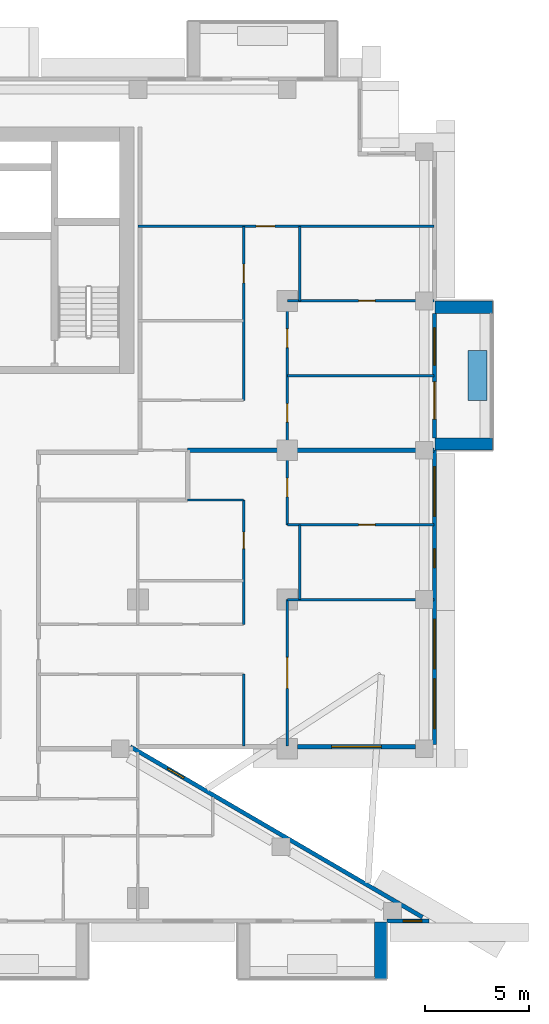
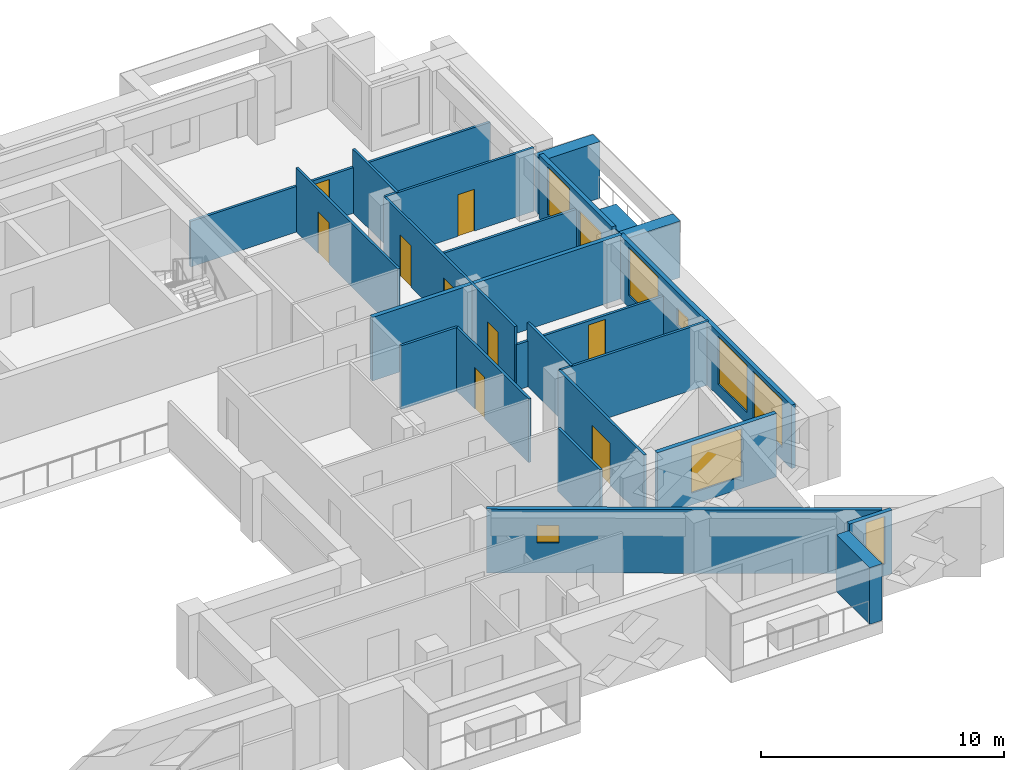
# One storey, part 12 of 20: 23 walls, 10 doors, 8 windows, 18 openings.
"""IFC4 building model written with IfcOpenShell, lengths in metres."""

from ifc_helpers import new_model, si_unit, direction, frame, frame_2d, origin, place, context, subcontext, project, spatial, rectangle, extrude, material, layer, layer_set, type_object, element, fill, save


model = new_model("IFC4")

# Units and contexts
model_context = context("Model", 3, precision=1e-05, world=origin(), true_north=direction((0.0, 1.0)))
body_context = subcontext(model_context, "Body", "Model", "MODEL_VIEW")
ifc_project = project(units=[si_unit("LENGTHUNIT", "METRE"), si_unit("AREAUNIT", "SQUARE_METRE"), si_unit("VOLUMEUNIT", "CUBIC_METRE"), si_unit("PLANEANGLEUNIT", "RADIAN"), si_unit("MASSUNIT", "GRAM", prefix="KILO")], contexts=[model_context])

# Site, building, storey
site_placement = place(None, origin())
site = spatial("IfcSite", under=ifc_project, at=site_placement, CompositionType="ELEMENT")
building_placement = place(site_placement, origin())
building = spatial("IfcBuilding", under=site, at=building_placement, Name="Saffron Iwan Residences", CompositionType="ELEMENT")
storey_placement = place(building_placement, frame((0.0, 0.0, 171.0)))
storey = spatial("IfcBuildingStorey", under=building, at=storey_placement, Name="L45", CompositionType="ELEMENT", Elevation=171.0)

# Walls
ifc_material_1 = material(Name="Concrete C50/60 white painted", Category="concrete")
ifc_layer_1 = layer(ifc_material_1, 0.60009765625)
ifc_layer_set_1 = layer_set([ifc_layer_1], Name="Concrete C50/60 white painted")
wall_type_1 = type_object("IfcWallType", Name="BALCONY FIN 600", PredefinedType="SOLIDWALL", material=ifc_layer_set_1)
for number, where, z_axis, x_axis, name in (
    (1, (86.324951171875, 62.699951171875, 0.0), (0.0, 0.0, 1.0), (1.0, 0.0, 0.0), "Balcony fin L45 F2-0a"),
    (2, (86.324951171875, 69.300048828125, 0.0), (0.0, 0.0, 1.0), (1.0, 0.0, 0.0), "Balcony fin L45 F2-0b"),
):
    element("IfcWall", number, at=place(storey_placement, frame(where, z_axis=z_axis, x_axis=x_axis)), inside=storey, type_object=wall_type_1, Name=name, PredefinedType="SOLIDWALL", context=body_context, shape_type="SweptSolid", body=[
        extrude(rectangle(XDim=2.775146484375, YDim=0.60009765625, at=frame_2d((1.3876953125, 0.0))), origin(), (0.0, 0.0, 1.0), 2.85009765625),
    ])
wall_1_placement = place(storey_placement, frame((83.699951171875, 39.649169921875, 0.0), z_axis=(0.0, 0.0, 1.0), x_axis=(0.0, -1.0, 0.0)))
element("IfcWall", 3, at=wall_1_placement, inside=storey, type_object=wall_type_1, Name="Balcony fin L45 11-3b", PredefinedType="SOLIDWALL", context=body_context, shape_type="SweptSolid", body=[
    extrude(rectangle(XDim=2.749267578125, YDim=0.60009765625, at=frame_2d((1.37451171875, 0.0))), origin(), (0.0, 0.0, 1.0), 2.85009765625),
])
ifc_material_2 = material(Name="Concrete C35/45 white painted", Category="concrete")
ifc_layer_2 = layer(ifc_material_2, 0.14990234375)
ifc_layer_set_2 = layer_set([ifc_layer_2], Name="Concrete C35/45 white painted")
wall_type_2 = type_object("IfcWallType", Name="BALCONY PLANTER", PredefinedType="SOLIDWALL", material=ifc_layer_set_2)
wall_2_placement = place(storey_placement, frame((88.375, 64.800048828125, 0.0), z_axis=(0.0, 0.0, 1.0), x_axis=(0.0, 1.0, 0.0)))
element("IfcWall", 4, at=wall_2_placement, inside=storey, type_object=wall_type_2, Name="PLANTER L45 F2-0", PredefinedType="SOLIDWALL", context=body_context, shape_type="SweptSolid", body=[
    extrude(rectangle(XDim=2.39990234375, YDim=0.89990234375, at=frame_2d((1.199951171875, 0.0))), origin(), (0.0, 0.0, 1.0), 0.89990234375),
])

# Wall, opening, window
ifc_material_3 = material(Name="Concrete C40/50", Category="concrete")
ifc_layer_3 = layer(ifc_material_3, 0.199951171875)
ifc_layer_set_3 = layer_set([ifc_layer_3], Name="Concrete C40/50")
wall_type_3 = type_object("IfcWallType", Name="EXTERNAL WALL 200", PredefinedType="SOLIDWALL", material=ifc_layer_set_3)
wall_3_placement = place(storey_placement, frame((85.71923828125, 39.88134765625, 0.0), z_axis=(0.0, 0.0, 1.0), x_axis=(-0.86377618652, 0.503875678716, 0.0)))
wall_3 = element("IfcWall", 5, at=wall_3_placement, inside=storey, type_object=wall_type_3, Name="External wall L45 F0.0", PredefinedType="SOLIDWALL", context=body_context, shape_type="SweptSolid", body=[
    extrude(rectangle(XDim=16.31103515625, YDim=0.199951171875, at=frame_2d((8.155517578125, 0.0))), origin(), (0.0, 0.0, 1.0), 3.199951171875),
])
opening_1_placement = place(wall_3_placement, frame((13.32568359375, 0.0, 1.5)))
opening_1 = element("IfcOpeningElement", 6, at=opening_1_placement, cuts=wall_3, Name="Opening W6", PredefinedType="OPENING", context=body_context, shape_type="SweptSolid", body=[
    extrude(rectangle(XDim=0.89990234375, YDim=0.89990234375, at=frame_2d((0.449951171875, 0.449951171875))), frame((0.0, 0.10986328125, 0.0), z_axis=(0.0, -1.0, 0.0), x_axis=(1.0, 0.0, 0.0)), (0.0, 0.0, 1.0), 0.219970703125),
])
ifc_material_4 = material(Name="Clear glass, laminated double glazed", Category="glass")
window_type_1 = type_object("IfcWindowType", Name="WINDOW 900 x 900 BATH", PartitioningType="SINGLE_PANEL", PredefinedType="WINDOW", material=ifc_material_4)
window_1_placement = place(opening_1_placement, origin())
window_1 = element("IfcWindow", 7, at=window_1_placement, inside=storey, type_object=window_type_1, Name="Window L45 F0.0", OverallHeight=0.89990234375, OverallWidth=0.89990234375, PartitioningType="SINGLE_PANEL", PredefinedType="WINDOW", context=body_context, shape_type="SweptSolid", body=[
    extrude(rectangle(XDim=0.89990234375, YDim=0.89990234375, at=frame_2d((0.449951171875, 0.449951171875))), frame((0.0, 0.030029296875, 0.0), z_axis=(0.0, -1.0, 0.0), x_axis=(1.0, 0.0, 0.0)), (0.0, 0.0, 1.0), 0.06005859375),
])
fill(opening_1, window_1)

wall_4_placement = place(storey_placement, frame((79.699951171875, 48.10009765625, 0.0), z_axis=(0.0, 0.0, 1.0), x_axis=(1.0, 0.0, 0.0)))
wall_4 = element("IfcWall", 8, at=wall_4_placement, inside=storey, type_object=wall_type_3, Name="External wall L45 F1.1", PredefinedType="SOLIDWALL", context=body_context, shape_type="SweptSolid", body=[
    extrude(rectangle(XDim=5.675048828125, YDim=0.199951171875, at=frame_2d((2.83740234375, 0.0))), origin(), (0.0, 0.0, 1.0), 3.199951171875),
])
opening_2_placement = place(wall_4_placement, frame((1.637451171875, 0.0, 0.60009765625)))
opening_2 = element("IfcOpeningElement", 9, at=opening_2_placement, cuts=wall_4, Name="Opening W1", PredefinedType="OPENING", context=body_context, shape_type="SweptSolid", body=[
    extrude(rectangle(XDim=2.39990234375, YDim=2.39990234375, at=frame_2d((1.199951171875, 1.199951171875))), frame((0.0, 0.10986328125, 0.0), z_axis=(0.0, -1.0, 0.0), x_axis=(1.0, 0.0, 0.0)), (0.0, 0.0, 1.0), 0.219970703125),
])
window_type_2 = type_object("IfcWindowType", Name="WINDOW 2400 x 2400", PartitioningType="DOUBLE_PANEL_VERTICAL", PredefinedType="WINDOW", material=ifc_material_4)
window_2_placement = place(opening_2_placement, origin())
window_2 = element("IfcWindow", 10, at=window_2_placement, inside=storey, type_object=window_type_2, Name="Window L45 F1.0", OverallHeight=2.39990234375, OverallWidth=2.39990234375, PartitioningType="DOUBLE_PANEL_VERTICAL", PredefinedType="WINDOW", context=body_context, shape_type="SweptSolid", body=[
    extrude(rectangle(XDim=2.39990234375, YDim=2.39990234375, at=frame_2d((1.199951171875, 1.199951171875))), frame((0.0, 0.030029296875, 0.0), z_axis=(0.0, -1.0, 0.0), x_axis=(1.0, 0.0, 0.0)), (0.0, 0.0, 1.0), 0.06005859375),
])
fill(opening_2, window_2)

# Wall, openings, windows
wall_5_placement = place(storey_placement, frame((86.300048828125, 48.199951171875, 0.0), z_axis=(0.0, 0.0, 1.0), x_axis=(0.0, 1.0, 0.0)))
wall_5 = element("IfcWall", 11, at=wall_5_placement, inside=storey, type_object=wall_type_3, Name="External wall L45 F2.0", PredefinedType="SOLIDWALL", context=body_context, shape_type="SweptSolid", body=[
    extrude(rectangle(XDim=14.199951171875, YDim=0.199951171875, at=frame_2d((7.10009765625, 0.0))), origin(), (0.0, 0.0, 1.0), 3.199951171875),
])
opening_3_placement = place(wall_5_placement, frame((0.77490234375, 0.0, 0.60009765625)))
opening_3 = element("IfcOpeningElement", 12, at=opening_3_placement, cuts=wall_5, Name="Opening W1", PredefinedType="OPENING", context=body_context, shape_type="SweptSolid", body=[
    extrude(rectangle(XDim=2.39990234375, YDim=2.39990234375, at=frame_2d((1.199951171875, 1.199951171875))), frame((0.0, 0.10986328125, 0.0), z_axis=(0.0, -1.0, 0.0), x_axis=(1.0, 0.0, 0.0)), (0.0, 0.0, 1.0), 0.219970703125),
])
opening_4_placement = place(wall_5_placement, frame((3.64990234375, 0.0, 0.60009765625)))
opening_4 = element("IfcOpeningElement", 13, at=opening_4_placement, cuts=wall_5, Name="Opening W1", PredefinedType="OPENING", context=body_context, shape_type="SweptSolid", body=[
    extrude(rectangle(XDim=2.39990234375, YDim=2.39990234375, at=frame_2d((1.199951171875, 1.199951171875))), frame((0.0, 0.10986328125, 0.0), z_axis=(0.0, -1.0, 0.0), x_axis=(1.0, 0.0, 0.0)), (0.0, 0.0, 1.0), 0.219970703125),
])
opening_5_placement = place(wall_5_placement, frame((11.012451171875, 0.0, 0.60009765625)))
opening_5 = element("IfcOpeningElement", 14, at=opening_5_placement, cuts=wall_5, Name="Opening W1", PredefinedType="OPENING", context=body_context, shape_type="SweptSolid", body=[
    extrude(rectangle(XDim=2.39990234375, YDim=2.39990234375, at=frame_2d((1.199951171875, 1.199951171875))), frame((0.0, 0.10986328125, 0.0), z_axis=(0.0, -1.0, 0.0), x_axis=(1.0, 0.0, 0.0)), (0.0, 0.0, 1.0), 0.219970703125),
])
opening_6_placement = place(wall_5_placement, frame((8.53759765625, 0.0, 1.5)))
opening_6 = element("IfcOpeningElement", 15, at=opening_6_placement, cuts=wall_5, Name="Opening W6", PredefinedType="OPENING", context=body_context, shape_type="SweptSolid", body=[
    extrude(rectangle(XDim=0.89990234375, YDim=0.89990234375, at=frame_2d((0.449951171875, 0.449951171875))), frame((0.0, 0.10986328125, 0.0), z_axis=(0.0, -1.0, 0.0), x_axis=(1.0, 0.0, 0.0)), (0.0, 0.0, 1.0), 0.219970703125),
])
window_3_placement = place(opening_3_placement, origin())
window_3 = element("IfcWindow", 16, at=window_3_placement, inside=storey, type_object=window_type_2, Name="Window L45 F2.0", OverallHeight=2.39990234375, OverallWidth=2.39990234375, PartitioningType="DOUBLE_PANEL_VERTICAL", PredefinedType="WINDOW", context=body_context, shape_type="SweptSolid", body=[
    extrude(rectangle(XDim=2.39990234375, YDim=2.39990234375, at=frame_2d((1.199951171875, 1.199951171875))), frame((0.0, 0.030029296875, 0.0), z_axis=(0.0, -1.0, 0.0), x_axis=(1.0, 0.0, 0.0)), (0.0, 0.0, 1.0), 0.06005859375),
])
fill(opening_3, window_3)
window_4_placement = place(opening_4_placement, origin())
window_4 = element("IfcWindow", 17, at=window_4_placement, inside=storey, type_object=window_type_2, Name="Window L45 F2.1", OverallHeight=2.39990234375, OverallWidth=2.39990234375, PartitioningType="DOUBLE_PANEL_VERTICAL", PredefinedType="WINDOW", context=body_context, shape_type="SweptSolid", body=[
    extrude(rectangle(XDim=2.39990234375, YDim=2.39990234375, at=frame_2d((1.199951171875, 1.199951171875))), frame((0.0, 0.030029296875, 0.0), z_axis=(0.0, -1.0, 0.0), x_axis=(1.0, 0.0, 0.0)), (0.0, 0.0, 1.0), 0.06005859375),
])
fill(opening_4, window_4)
window_5_placement = place(opening_5_placement, origin())
window_5 = element("IfcWindow", 18, at=window_5_placement, inside=storey, type_object=window_type_2, Name="Window L45 F2.2", OverallHeight=2.39990234375, OverallWidth=2.39990234375, PartitioningType="DOUBLE_PANEL_VERTICAL", PredefinedType="WINDOW", context=body_context, shape_type="SweptSolid", body=[
    extrude(rectangle(XDim=2.39990234375, YDim=2.39990234375, at=frame_2d((1.199951171875, 1.199951171875))), frame((0.0, 0.030029296875, 0.0), z_axis=(0.0, -1.0, 0.0), x_axis=(1.0, 0.0, 0.0)), (0.0, 0.0, 1.0), 0.06005859375),
])
fill(opening_5, window_5)
window_6_placement = place(opening_6_placement, origin())
window_6 = element("IfcWindow", 19, at=window_6_placement, inside=storey, type_object=window_type_1, Name="Window L45 F2.3", OverallHeight=0.89990234375, OverallWidth=0.89990234375, PartitioningType="SINGLE_PANEL", PredefinedType="WINDOW", context=body_context, shape_type="SweptSolid", body=[
    extrude(rectangle(XDim=0.89990234375, YDim=0.89990234375, at=frame_2d((0.449951171875, 0.449951171875))), frame((0.0, 0.030029296875, 0.0), z_axis=(0.0, -1.0, 0.0), x_axis=(1.0, 0.0, 0.0)), (0.0, 0.0, 1.0), 0.06005859375),
])
fill(opening_6, window_6)

# Wall, openings, door, window
wall_6_placement = place(storey_placement, frame((86.300048828125, 63.0, 0.0), z_axis=(0.0, 0.0, 1.0), x_axis=(0.0, 1.0, 0.0)))
wall_6 = element("IfcWall", 20, at=wall_6_placement, inside=storey, type_object=wall_type_3, Name="External wall L45 F2.1", PredefinedType="SOLIDWALL", context=body_context, shape_type="SweptSolid", body=[
    extrude(rectangle(XDim=6.0, YDim=0.199951171875, at=frame_2d((3.0, 0.0))), origin(), (0.0, 0.0, 1.0), 3.199951171875),
])
opening_7_placement = place(wall_6_placement, frame((0.89990234375, 0.0, 0.0)))
opening_7 = element("IfcOpeningElement", 21, at=opening_7_placement, cuts=wall_6, Name="Opening BD1", PredefinedType="OPENING", context=body_context, shape_type="SweptSolid", body=[
    extrude(rectangle(XDim=1.800048828125, YDim=2.39990234375, at=frame_2d((0.89990234375, 1.199951171875))), frame((0.0, 0.10986328125, 0.0), z_axis=(0.0, -1.0, 0.0), x_axis=(1.0, 0.0, 0.0)), (0.0, 0.0, 1.0), 0.219970703125),
])
opening_8_placement = place(wall_6_placement, frame((3.5, 0.0, 0.60009765625)))
opening_8 = element("IfcOpeningElement", 22, at=opening_8_placement, cuts=wall_6, Name="Opening W8", PredefinedType="OPENING", context=body_context, shape_type="SweptSolid", body=[
    extrude(rectangle(XDim=1.800048828125, YDim=2.39990234375, at=frame_2d((0.89990234375, 1.199951171875))), frame((0.0, 0.10986328125, 0.0), z_axis=(0.0, -1.0, 0.0), x_axis=(1.0, 0.0, 0.0)), (0.0, 0.0, 1.0), 0.219970703125),
])
door_type_1 = type_object("IfcDoorType", Name="BALCONY DOOR 1800 x 2400", OperationType="DOUBLE_DOOR_SLIDING", PredefinedType="DOOR", material=ifc_material_4)
door_1_placement = place(opening_7_placement, origin())
door_1 = element("IfcDoor", 23, at=door_1_placement, inside=storey, type_object=door_type_1, Name="Balcony door L45 F2.0", OperationType="DOUBLE_DOOR_SLIDING", OverallHeight=2.39990234375, OverallWidth=1.800048828125, PredefinedType="DOOR", context=body_context, shape_type="SweptSolid", body=[
    extrude(rectangle(XDim=1.800048828125, YDim=2.39990234375, at=frame_2d((0.89990234375, 1.199951171875))), frame((0.0, 0.02490234375, 0.0), z_axis=(0.0, -1.0, 0.0), x_axis=(1.0, 0.0, 0.0)), (0.0, 0.0, 1.0), 0.050048828125),
])
fill(opening_7, door_1)
window_type_3 = type_object("IfcWindowType", Name="WINDOW 1800 x 2400", PartitioningType="DOUBLE_PANEL_VERTICAL", PredefinedType="WINDOW", material=ifc_material_4)
window_7_placement = place(opening_8_placement, origin())
window_7 = element("IfcWindow", 24, at=window_7_placement, inside=storey, type_object=window_type_3, Name="Window L45 F2.1", OverallHeight=2.39990234375, OverallWidth=1.800048828125, PartitioningType="DOUBLE_PANEL_VERTICAL", PredefinedType="WINDOW", context=body_context, shape_type="SweptSolid", body=[
    extrude(rectangle(XDim=1.800048828125, YDim=2.39990234375, at=frame_2d((0.89990234375, 1.199951171875))), frame((0.0, 0.030029296875, 0.0), z_axis=(0.0, -1.0, 0.0), x_axis=(1.0, 0.0, 0.0)), (0.0, 0.0, 1.0), 0.06005859375),
])
fill(opening_8, window_7)

# Wall, opening, window
wall_7_placement = place(storey_placement, frame((84.0, 39.699951171875, 0.0), z_axis=(0.0, 0.0, 1.0), x_axis=(1.0, 0.0, 0.0)))
wall_7 = element("IfcWall", 25, at=wall_7_placement, inside=storey, type_object=wall_type_3, Name="External wall L45 F11.2", PredefinedType="SOLIDWALL", context=body_context, shape_type="SweptSolid", body=[
    extrude(rectangle(XDim=2.030029296875, YDim=0.199951171875, at=frame_2d((1.01513671875, 0.0))), origin(), (0.0, 0.0, 1.0), 3.199951171875),
])
opening_9_placement = place(wall_7_placement, frame((0.79052734375, 0.0, 0.60009765625)))
opening_9 = element("IfcOpeningElement", 26, at=opening_9_placement, cuts=wall_7, Name="Opening W10", PredefinedType="OPENING", context=body_context, shape_type="SweptSolid", body=[
    extrude(rectangle(XDim=0.89990234375, YDim=2.39990234375, at=frame_2d((0.449951171875, 1.199951171875))), frame((0.0, 0.10986328125, 0.0), z_axis=(0.0, -1.0, 0.0), x_axis=(1.0, 0.0, 0.0)), (0.0, 0.0, 1.0), 0.219970703125),
])
window_type_4 = type_object("IfcWindowType", Name="WINDOW 900 x 2400", PartitioningType="SINGLE_PANEL", PredefinedType="WINDOW", material=ifc_material_4)
window_8_placement = place(opening_9_placement, origin())
window_8 = element("IfcWindow", 27, at=window_8_placement, inside=storey, type_object=window_type_4, Name="Window L45 F11.0", OverallHeight=2.39990234375, OverallWidth=0.89990234375, PartitioningType="SINGLE_PANEL", PredefinedType="WINDOW", context=body_context, shape_type="SweptSolid", body=[
    extrude(rectangle(XDim=0.89990234375, YDim=2.39990234375, at=frame_2d((0.449951171875, 1.199951171875))), frame((0.0, 0.030029296875, 0.0), z_axis=(0.0, -1.0, 0.0), x_axis=(1.0, 0.0, 0.0)), (0.0, 0.0, 1.0), 0.06005859375),
])
fill(opening_9, window_8)

# Walls
ifc_material_5 = material(Name="Fire-rated gypsum board wall")
ifc_layer_4 = layer(ifc_material_5, 0.199951171875)
ifc_layer_set_4 = layer_set([ifc_layer_4], Name="Fire-rated gypsum board wall")
wall_type_4 = type_object("IfcWallType", Name="Flat demising wall 200", PredefinedType="SOLIDWALL", material=ifc_layer_set_4)
wall_8_placement = place(storey_placement, frame((74.39990234375, 62.39990234375, 0.0), z_axis=(0.0, 0.0, 1.0), x_axis=(1.0, 0.0, 0.0)))
element("IfcWall", 28, at=wall_8_placement, inside=storey, type_object=wall_type_4, Name="W-L45-DEMISE-h62.4-74.4", PredefinedType="SOLIDWALL", context=body_context, shape_type="SweptSolid", body=[
    extrude(rectangle(XDim=11.875, YDim=0.199951171875, at=frame_2d((5.9375, 0.0))), origin(), (0.0, 0.0, 1.0), 3.199951171875),
])
ifc_material_6 = material(Name="Gypsum board partition")
ifc_layer_5 = layer(ifc_material_6, 0.1201171875)
ifc_layer_set_5 = layer_set([ifc_layer_5], Name="Gypsum board partition")
wall_type_5 = type_object("IfcWallType", Name="Flat partition 120", PredefinedType="PARTITIONING", material=ifc_layer_set_5)
wall_9_placement = place(storey_placement, frame((79.199951171875, 55.199951171875, 0.0), z_axis=(0.0, 0.0, 1.0), x_axis=(1.0, 0.0, 0.0)))
element("IfcWall", 29, at=wall_9_placement, inside=storey, type_object=wall_type_5, Name="W-L45-PART-h55.2-79.2", PredefinedType="PARTITIONING", context=body_context, shape_type="SweptSolid", body=[
    extrude(rectangle(XDim=7.074951171875, YDim=0.1201171875, at=frame_2d((3.53759765625, 0.0))), origin(), (0.0, 0.0, 1.0), 3.199951171875),
])

# Wall, opening, door
wall_10_placement = place(storey_placement, frame((79.199951171875, 58.800048828125, 0.0), z_axis=(0.0, 0.0, 1.0), x_axis=(1.0, 0.0, 0.0)))
wall_10 = element("IfcWall", 30, at=wall_10_placement, inside=storey, type_object=wall_type_5, Name="W-L45-PART-h58.8-79.2", PredefinedType="PARTITIONING", context=body_context, shape_type="SweptSolid", body=[
    extrude(rectangle(XDim=7.074951171875, YDim=0.1201171875, at=frame_2d((3.53759765625, 0.0))), origin(), (0.0, 0.0, 1.0), 2.300048828125),
])
opening_10_placement = place(wall_10_placement, frame((3.4375, 0.0, 0.0)))
opening_10 = element("IfcOpeningElement", 31, at=opening_10_placement, cuts=wall_10, Name="Opening FD3", PredefinedType="OPENING", context=body_context, shape_type="SweptSolid", body=[
    extrude(rectangle(XDim=0.800048828125, YDim=2.10009765625, at=frame_2d((0.39990234375, 1.050048828125))), frame((0.0, 0.070068359375, 0.0), z_axis=(0.0, -1.0, 0.0), x_axis=(1.0, 0.0, 0.0)), (0.0, 0.0, 1.0), 0.14013671875),
])
ifc_material_7 = material(Name="Timber door", Category="wood")
door_type_2 = type_object("IfcDoorType", Name="Bathroom door 800", OperationType="NOTDEFINED", PredefinedType="DOOR", material=ifc_material_7)
door_2_placement = place(opening_10_placement, origin())
door_2 = element("IfcDoor", 32, at=door_2_placement, inside=storey, type_object=door_type_2, Name="Door L45-019", OperationType="SINGLE_SWING_RIGHT", OverallHeight=2.10009765625, OverallWidth=0.800048828125, PredefinedType="DOOR", context=body_context, shape_type="SweptSolid", body=[
    extrude(rectangle(XDim=0.800048828125, YDim=2.10009765625, at=frame_2d((0.39990234375, 1.050048828125))), frame((0.0, 0.02490234375, 0.0), z_axis=(0.0, -1.0, 0.0), x_axis=(1.0, 0.0, 0.0)), (0.0, 0.0, 1.0), 0.050048828125),
])
fill(opening_10, door_2)

# Walls
wall_11_placement = place(storey_placement, frame((74.39990234375, 60.0, 0.0), z_axis=(0.0, 0.0, 1.0), x_axis=(1.0, 0.0, 0.0)))
element("IfcWall", 33, at=wall_11_placement, inside=storey, type_object=wall_type_5, Name="W-L45-PART-h60-74.4", PredefinedType="PARTITIONING", context=body_context, shape_type="SweptSolid", body=[
    extrude(rectangle(XDim=2.7001953125, YDim=0.1201171875, at=frame_2d((1.35009765625, 0.0))), origin(), (0.0, 0.0, 1.0), 3.199951171875),
])
wall_12_placement = place(storey_placement, frame((79.199951171875, 66.0, 0.0), z_axis=(0.0, 0.0, 1.0), x_axis=(1.0, 0.0, 0.0)))
element("IfcWall", 34, at=wall_12_placement, inside=storey, type_object=wall_type_5, Name="W-L45-PART-h66-79.2", PredefinedType="PARTITIONING", context=body_context, shape_type="SweptSolid", body=[
    extrude(rectangle(XDim=7.074951171875, YDim=0.1201171875, at=frame_2d((3.53759765625, 0.0))), origin(), (0.0, 0.0, 1.0), 2.300048828125),
])

# Wall, opening, door
wall_13_placement = place(storey_placement, frame((79.199951171875, 69.60009765625, 0.0), z_axis=(0.0, 0.0, 1.0), x_axis=(1.0, 0.0, 0.0)))
wall_13 = element("IfcWall", 35, at=wall_13_placement, inside=storey, type_object=wall_type_5, Name="W-L45-PART-h69.6-79.2", PredefinedType="PARTITIONING", context=body_context, shape_type="SweptSolid", body=[
    extrude(rectangle(XDim=7.074951171875, YDim=0.1201171875, at=frame_2d((3.53759765625, 0.0))), origin(), (0.0, 0.0, 1.0), 3.199951171875),
])
opening_11_placement = place(wall_13_placement, frame((3.4375, 0.0, 0.0)))
opening_11 = element("IfcOpeningElement", 36, at=opening_11_placement, cuts=wall_13, Name="Opening FD3", PredefinedType="OPENING", context=body_context, shape_type="SweptSolid", body=[
    extrude(rectangle(XDim=0.800048828125, YDim=2.10009765625, at=frame_2d((0.39990234375, 1.050048828125))), frame((0.0, 0.070068359375, 0.0), z_axis=(0.0, -1.0, 0.0), x_axis=(1.0, 0.0, 0.0)), (0.0, 0.0, 1.0), 0.14013671875),
])
door_3_placement = place(opening_11_placement, origin())
door_3 = element("IfcDoor", 37, at=door_3_placement, inside=storey, type_object=door_type_2, Name="Door L45-037", OperationType="SINGLE_SWING_RIGHT", OverallHeight=2.10009765625, OverallWidth=0.800048828125, PredefinedType="DOOR", context=body_context, shape_type="SweptSolid", body=[
    extrude(rectangle(XDim=0.800048828125, YDim=2.10009765625, at=frame_2d((0.39990234375, 1.050048828125))), frame((0.0, 0.02490234375, 0.0), z_axis=(0.0, -1.0, 0.0), x_axis=(1.0, 0.0, 0.0)), (0.0, 0.0, 1.0), 0.050048828125),
])
fill(opening_11, door_3)

wall_14_placement = place(storey_placement, frame((72.0, 73.199951171875, 0.0), z_axis=(0.0, 0.0, 1.0), x_axis=(1.0, 0.0, 0.0)))
wall_14 = element("IfcWall", 38, at=wall_14_placement, inside=storey, type_object=wall_type_5, Name="W-L45-PART-h73.2-72", PredefinedType="PARTITIONING", context=body_context, shape_type="SweptSolid", body=[
    extrude(rectangle(XDim=14.27490234375, YDim=0.1201171875, at=frame_2d((7.137451171875, 0.0))), origin(), (0.0, 0.0, 1.0), 2.300048828125),
])
opening_12_placement = place(wall_14_placement, frame((5.699951171875, 0.0, 0.0)))
opening_12 = element("IfcOpeningElement", 39, at=opening_12_placement, cuts=wall_14, Name="Opening FD2", PredefinedType="OPENING", context=body_context, shape_type="SweptSolid", body=[
    extrude(rectangle(XDim=0.89990234375, YDim=2.10009765625, at=frame_2d((0.449951171875, 1.050048828125))), frame((0.0, 0.070068359375, 0.0), z_axis=(0.0, -1.0, 0.0), x_axis=(1.0, 0.0, 0.0)), (0.0, 0.0, 1.0), 0.14013671875),
])
door_type_3 = type_object("IfcDoorType", Name="Flat door 900", OperationType="NOTDEFINED", PredefinedType="DOOR", material=ifc_material_7)
door_4_placement = place(opening_12_placement, origin())
door_4 = element("IfcDoor", 40, at=door_4_placement, inside=storey, type_object=door_type_3, Name="Door L45-038", OperationType="SINGLE_SWING_LEFT", OverallHeight=2.10009765625, OverallWidth=0.89990234375, PredefinedType="DOOR", context=body_context, shape_type="SweptSolid", body=[
    extrude(rectangle(XDim=0.89990234375, YDim=2.10009765625, at=frame_2d((0.449951171875, 1.050048828125))), frame((0.0, 0.02490234375, 0.0), z_axis=(0.0, -1.0, 0.0), x_axis=(1.0, 0.0, 0.0)), (0.0, 0.0, 1.0), 0.050048828125),
])
fill(opening_12, door_4)

# Wall
wall_15_placement = place(storey_placement, frame((77.10009765625, 48.125, 0.0), z_axis=(0.0, 0.0, 1.0), x_axis=(0.0, 1.0, 0.0)))
element("IfcWall", 41, at=wall_15_placement, inside=storey, type_object=wall_type_5, Name="W-L45-PART-v77.1-48.125", PredefinedType="PARTITIONING", context=body_context, shape_type="SweptSolid", body=[
    extrude(rectangle(XDim=3.47509765625, YDim=0.1201171875, at=frame_2d((1.737548828125, 0.0))), origin(), (0.0, 0.0, 1.0), 3.199951171875),
])

# Wall, opening, door
wall_16_placement = place(storey_placement, frame((77.10009765625, 54.0, 0.0), z_axis=(0.0, 0.0, 1.0), x_axis=(0.0, 1.0, 0.0)))
wall_16 = element("IfcWall", 42, at=wall_16_placement, inside=storey, type_object=wall_type_5, Name="W-L45-PART-v77.1-54", PredefinedType="PARTITIONING", context=body_context, shape_type="SweptSolid", body=[
    extrude(rectangle(XDim=6.0, YDim=0.1201171875, at=frame_2d((3.0, 0.0))), origin(), (0.0, 0.0, 1.0), 3.199951171875),
])
opening_13_placement = place(wall_16_placement, frame((3.64990234375, 0.0, 0.0)))
opening_13 = element("IfcOpeningElement", 43, at=opening_13_placement, cuts=wall_16, Name="Opening FD3", PredefinedType="OPENING", context=body_context, shape_type="SweptSolid", body=[
    extrude(rectangle(XDim=0.800048828125, YDim=2.10009765625, at=frame_2d((0.39990234375, 1.050048828125))), frame((0.0, 0.070068359375, 0.0), z_axis=(0.0, -1.0, 0.0), x_axis=(1.0, 0.0, 0.0)), (0.0, 0.0, 1.0), 0.14013671875),
])
door_5_placement = place(opening_13_placement, origin())
door_5 = element("IfcDoor", 44, at=door_5_placement, inside=storey, type_object=door_type_2, Name="Door L45-022", OperationType="SINGLE_SWING_RIGHT", OverallHeight=2.10009765625, OverallWidth=0.800048828125, PredefinedType="DOOR", context=body_context, shape_type="SweptSolid", body=[
    extrude(rectangle(XDim=0.800048828125, YDim=2.10009765625, at=frame_2d((0.39990234375, 1.050048828125))), frame((0.0, 0.02490234375, 0.0), z_axis=(0.0, -1.0, 0.0), x_axis=(1.0, 0.0, 0.0)), (0.0, 0.0, 1.0), 0.050048828125),
])
fill(opening_13, door_5)

wall_17_placement = place(storey_placement, frame((77.10009765625, 64.800048828125, 0.0), z_axis=(0.0, 0.0, 1.0), x_axis=(0.0, 1.0, 0.0)))
wall_17 = element("IfcWall", 45, at=wall_17_placement, inside=storey, type_object=wall_type_5, Name="W-L45-PART-v77.1-64.8", PredefinedType="PARTITIONING", context=body_context, shape_type="SweptSolid", body=[
    extrude(rectangle(XDim=8.39990234375, YDim=0.1201171875, at=frame_2d((4.199951171875, 0.0))), origin(), (0.0, 0.0, 1.0), 3.199951171875),
])
opening_14_placement = place(wall_17_placement, frame((5.675048828125, 0.0, 0.0)))
opening_14 = element("IfcOpeningElement", 46, at=opening_14_placement, cuts=wall_17, Name="Opening FD2", PredefinedType="OPENING", context=body_context, shape_type="SweptSolid", body=[
    extrude(rectangle(XDim=0.89990234375, YDim=2.10009765625, at=frame_2d((0.449951171875, 1.050048828125))), frame((0.0, 0.070068359375, 0.0), z_axis=(0.0, -1.0, 0.0), x_axis=(1.0, 0.0, 0.0)), (0.0, 0.0, 1.0), 0.14013671875),
])
door_6_placement = place(opening_14_placement, origin())
door_6 = element("IfcDoor", 47, at=door_6_placement, inside=storey, type_object=door_type_3, Name="Door L45-040", OperationType="SINGLE_SWING_RIGHT", OverallHeight=2.10009765625, OverallWidth=0.89990234375, PredefinedType="DOOR", context=body_context, shape_type="SweptSolid", body=[
    extrude(rectangle(XDim=0.89990234375, YDim=2.10009765625, at=frame_2d((0.449951171875, 1.050048828125))), frame((0.0, 0.02490234375, 0.0), z_axis=(0.0, -1.0, 0.0), x_axis=(1.0, 0.0, 0.0)), (0.0, 0.0, 1.0), 0.050048828125),
])
fill(opening_14, door_6)

wall_18_placement = place(storey_placement, frame((79.199951171875, 48.125, 0.0), z_axis=(0.0, 0.0, 1.0), x_axis=(0.0, 1.0, 0.0)))
wall_18 = element("IfcWall", 48, at=wall_18_placement, inside=storey, type_object=wall_type_5, Name="W-L45-PART-v79.2-48.125", PredefinedType="PARTITIONING", context=body_context, shape_type="SweptSolid", body=[
    extrude(rectangle(XDim=7.074951171875, YDim=0.1201171875, at=frame_2d((3.53759765625, 0.0))), origin(), (0.0, 0.0, 1.0), 3.199951171875),
])
opening_15_placement = place(wall_18_placement, frame((2.78759765625, 0.0, 0.0)))
opening_15 = element("IfcOpeningElement", 49, at=opening_15_placement, cuts=wall_18, Name="Opening FD4", PredefinedType="OPENING", context=body_context, shape_type="SweptSolid", body=[
    extrude(rectangle(XDim=1.5, YDim=2.10009765625, at=frame_2d((0.75, 1.050048828125))), frame((0.0, 0.070068359375, 0.0), z_axis=(0.0, -1.0, 0.0), x_axis=(1.0, 0.0, 0.0)), (0.0, 0.0, 1.0), 0.14013671875),
])
door_type_4 = type_object("IfcDoorType", Name="Double door 1500", OperationType="NOTDEFINED", PredefinedType="DOOR", material=ifc_material_7)
door_7_placement = place(opening_15_placement, origin())
door_7 = element("IfcDoor", 50, at=door_7_placement, inside=storey, type_object=door_type_4, Name="Door L45-017", OperationType="SINGLE_SWING_LEFT", OverallHeight=2.10009765625, OverallWidth=1.5, PredefinedType="DOOR", context=body_context, shape_type="SweptSolid", body=[
    extrude(rectangle(XDim=1.5, YDim=2.10009765625, at=frame_2d((0.75, 1.050048828125))), frame((0.0, 0.02490234375, 0.0), z_axis=(0.0, -1.0, 0.0), x_axis=(1.0, 0.0, 0.0)), (0.0, 0.0, 1.0), 0.050048828125),
])
fill(opening_15, door_7)

# Wall, openings, doors
wall_19_placement = place(storey_placement, frame((79.199951171875, 58.800048828125, 0.0), z_axis=(0.0, 0.0, 1.0), x_axis=(0.0, 1.0, 0.0)))
wall_19 = element("IfcWall", 51, at=wall_19_placement, inside=storey, type_object=wall_type_5, Name="W-L45-PART-v79.2-58.8", PredefinedType="PARTITIONING", context=body_context, shape_type="SweptSolid", body=[
    extrude(rectangle(XDim=10.800048828125, YDim=0.1201171875, at=frame_2d((5.39990234375, 0.0))), origin(), (0.0, 0.0, 1.0), 3.199951171875),
])
opening_16_placement = place(wall_19_placement, frame((1.35009765625, 0.0, 0.0)))
opening_16 = element("IfcOpeningElement", 52, at=opening_16_placement, cuts=wall_19, Name="Opening FD2", PredefinedType="OPENING", context=body_context, shape_type="SweptSolid", body=[
    extrude(rectangle(XDim=0.89990234375, YDim=2.10009765625, at=frame_2d((0.449951171875, 1.050048828125))), frame((0.0, 0.070068359375, 0.0), z_axis=(0.0, -1.0, 0.0), x_axis=(1.0, 0.0, 0.0)), (0.0, 0.0, 1.0), 0.14013671875),
])
opening_17_placement = place(wall_19_placement, frame((4.949951171875, 0.0, 0.0)))
opening_17 = element("IfcOpeningElement", 53, at=opening_17_placement, cuts=wall_19, Name="Opening FD2", PredefinedType="OPENING", context=body_context, shape_type="SweptSolid", body=[
    extrude(rectangle(XDim=0.89990234375, YDim=2.10009765625, at=frame_2d((0.449951171875, 1.050048828125))), frame((0.0, 0.070068359375, 0.0), z_axis=(0.0, -1.0, 0.0), x_axis=(1.0, 0.0, 0.0)), (0.0, 0.0, 1.0), 0.14013671875),
])
opening_18_placement = place(wall_19_placement, frame((8.550048828125, 0.0, 0.0)))
opening_18 = element("IfcOpeningElement", 54, at=opening_18_placement, cuts=wall_19, Name="Opening FD2", PredefinedType="OPENING", context=body_context, shape_type="SweptSolid", body=[
    extrude(rectangle(XDim=0.89990234375, YDim=2.10009765625, at=frame_2d((0.449951171875, 1.050048828125))), frame((0.0, 0.070068359375, 0.0), z_axis=(0.0, -1.0, 0.0), x_axis=(1.0, 0.0, 0.0)), (0.0, 0.0, 1.0), 0.14013671875),
])
door_8_placement = place(opening_16_placement, origin())
door_8 = element("IfcDoor", 55, at=door_8_placement, inside=storey, type_object=door_type_3, Name="Door L45-018", OperationType="SINGLE_SWING_LEFT", OverallHeight=2.10009765625, OverallWidth=0.89990234375, PredefinedType="DOOR", context=body_context, shape_type="SweptSolid", body=[
    extrude(rectangle(XDim=0.89990234375, YDim=2.10009765625, at=frame_2d((0.449951171875, 1.050048828125))), frame((0.0, 0.02490234375, 0.0), z_axis=(0.0, -1.0, 0.0), x_axis=(1.0, 0.0, 0.0)), (0.0, 0.0, 1.0), 0.050048828125),
])
fill(opening_16, door_8)
door_9_placement = place(opening_17_placement, origin())
door_9 = element("IfcDoor", 56, at=door_9_placement, inside=storey, type_object=door_type_3, Name="Door L45-035", OperationType="SINGLE_SWING_LEFT", OverallHeight=2.10009765625, OverallWidth=0.89990234375, PredefinedType="DOOR", context=body_context, shape_type="SweptSolid", body=[
    extrude(rectangle(XDim=0.89990234375, YDim=2.10009765625, at=frame_2d((0.449951171875, 1.050048828125))), frame((0.0, 0.02490234375, 0.0), z_axis=(0.0, -1.0, 0.0), x_axis=(1.0, 0.0, 0.0)), (0.0, 0.0, 1.0), 0.050048828125),
])
fill(opening_17, door_9)
door_10_placement = place(opening_18_placement, origin())
door_10 = element("IfcDoor", 57, at=door_10_placement, inside=storey, type_object=door_type_3, Name="Door L45-036", OperationType="SINGLE_SWING_LEFT", OverallHeight=2.10009765625, OverallWidth=0.89990234375, PredefinedType="DOOR", context=body_context, shape_type="SweptSolid", body=[
    extrude(rectangle(XDim=0.89990234375, YDim=2.10009765625, at=frame_2d((0.449951171875, 1.050048828125))), frame((0.0, 0.02490234375, 0.0), z_axis=(0.0, -1.0, 0.0), x_axis=(1.0, 0.0, 0.0)), (0.0, 0.0, 1.0), 0.050048828125),
])
fill(opening_18, door_10)

# Walls
wall_20_placement = place(storey_placement, frame((79.800048828125, 55.199951171875, 0.0), z_axis=(0.0, 0.0, 1.0), x_axis=(0.0, 1.0, 0.0)))
element("IfcWall", 58, at=wall_20_placement, inside=storey, type_object=wall_type_5, Name="W-L45-PART-v79.8-55.2", PredefinedType="PARTITIONING", context=body_context, shape_type="SweptSolid", body=[
    extrude(rectangle(XDim=3.60009765625, YDim=0.1201171875, at=frame_2d((1.800048828125, 0.0))), origin(), (0.0, 0.0, 1.0), 3.199951171875),
])
wall_21_placement = place(storey_placement, frame((79.800048828125, 69.60009765625, 0.0), z_axis=(0.0, 0.0, 1.0), x_axis=(0.0, 1.0, 0.0)))
element("IfcWall", 59, at=wall_21_placement, inside=storey, type_object=wall_type_5, Name="W-L45-PART-v79.8-69.6", PredefinedType="PARTITIONING", context=body_context, shape_type="SweptSolid", body=[
    extrude(rectangle(XDim=3.599853515625, YDim=0.1201171875, at=frame_2d((1.7998046875, 0.0))), origin(), (0.0, 0.0, 1.0), 3.199951171875),
])

save(model, "model.ifc")
